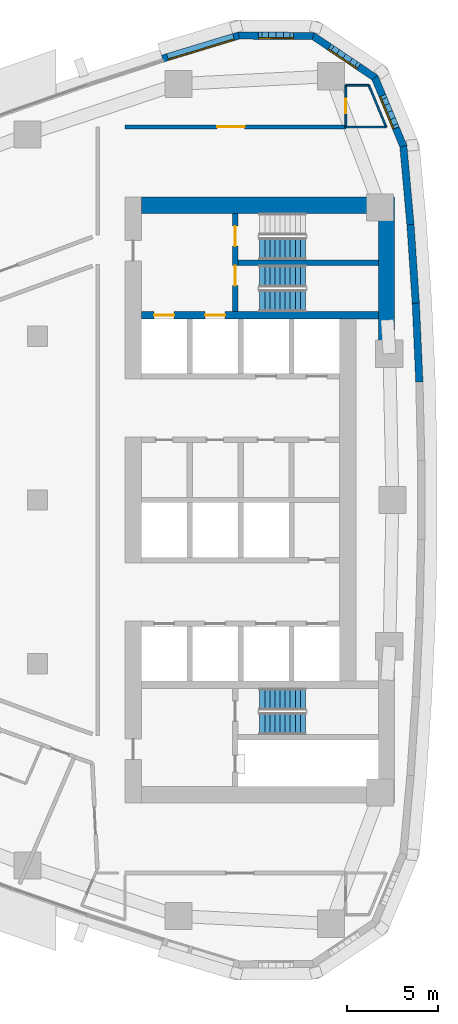
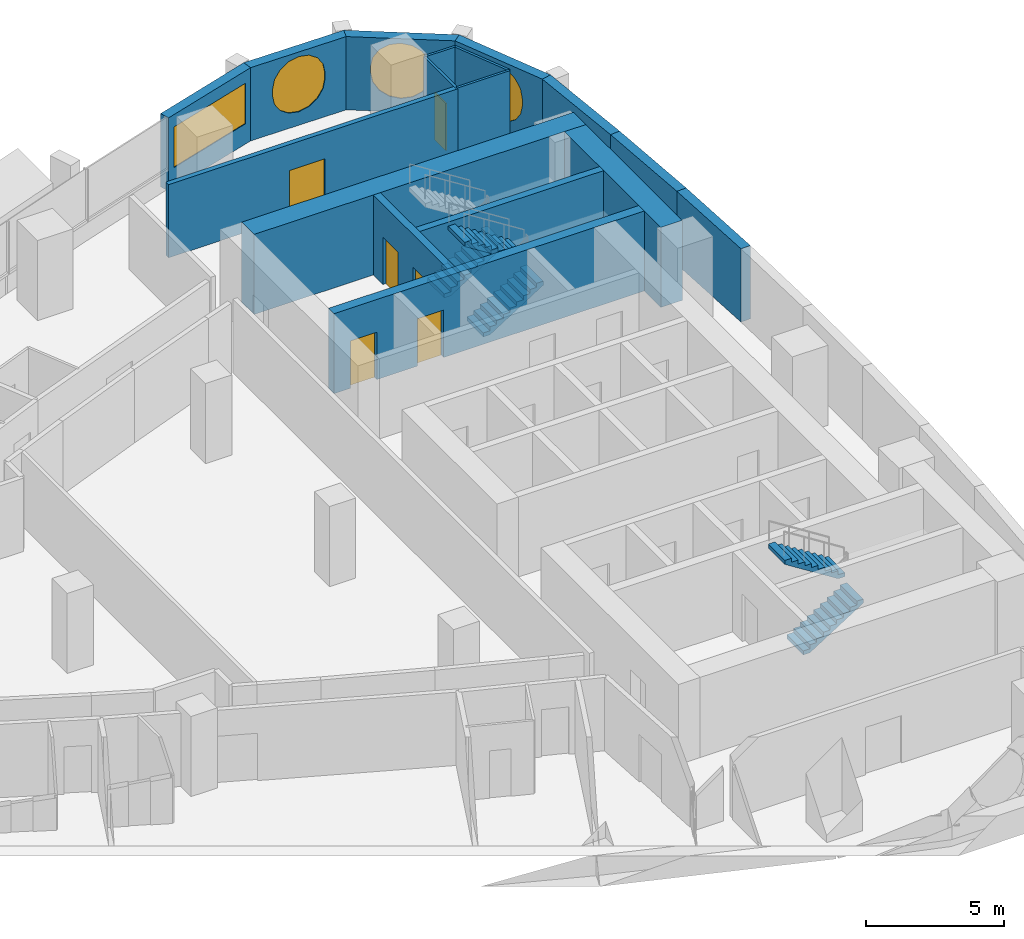
# One storey, part 12 of 17: 17 walls, 6 doors, 5 stair flights, 4 windows, 10 openings, 3 elements without a shape of their own.
"""IFC4 building model written with IfcOpenShell, lengths in metres."""

from ifc_helpers import new_model, si_unit, direction, frame, frame_2d, origin, place, context, subcontext, project, spatial, polyline, rectangle, outline, extrude, material, layer, layer_set, type_object, element, fill, aggregate, save


model = new_model("IFC4")

# Units and contexts
model_context = context("Model", 3, precision=1e-05, world=origin(), true_north=direction((0.0, 1.0)))
body_context = subcontext(model_context, "Body", "Model", "MODEL_VIEW")
ifc_project = project(units=[si_unit("LENGTHUNIT", "METRE"), si_unit("AREAUNIT", "SQUARE_METRE"), si_unit("VOLUMEUNIT", "CUBIC_METRE"), si_unit("PLANEANGLEUNIT", "RADIAN"), si_unit("MASSUNIT", "GRAM", prefix="KILO")], contexts=[model_context])

# Site, building, storey
site_placement = place(None, origin())
site = spatial("IfcSite", under=ifc_project, at=site_placement, CompositionType="ELEMENT")
building_placement = place(site_placement, origin())
building = spatial("IfcBuilding", under=site, at=building_placement, Name="Ostrand Prow Hotel Tower", CompositionType="ELEMENT")
storey_placement = place(building_placement, frame((0.0, 0.0, 130.199951171875)))
storey = spatial("IfcBuildingStorey", under=building, at=storey_placement, Name="L31", CompositionType="ELEMENT", Elevation=130.199951171875)

# Wall, openings, doors
ifc_material_1 = material(Name="Concrete C70/85", Category="concrete")
ifc_layer_1 = layer(ifc_material_1, 0.300048828125)
ifc_layer_set_1 = layer_set([ifc_layer_1], Name="Concrete C70/85")
wall_type_1 = type_object("IfcWallType", Name="Core wall 300 C70/85", PredefinedType="SHEAR", material=ifc_layer_set_1)
wall_1_placement = place(storey_placement, frame((55.85009765625, 10.35009765625, 0.0), z_axis=(0.0, 0.0, 1.0), x_axis=(0.0, 1.0, 0.0)))
wall_1 = element("IfcWall", 1, at=wall_1_placement, inside=storey, type_object=wall_type_1, Name="Core wall PW-VN", PredefinedType="SHEAR", context=body_context, shape_type="SweptSolid", body=[
    extrude(rectangle(XDim=5.39990234375, YDim=0.300048828125, at=frame_2d((2.699951171875, 0.0))), origin(), (0.0, 0.0, 1.0), 3.550048828125),
])
opening_1_placement = place(wall_1_placement, frame((1.429931640625, 0.0, 0.0)))
opening_1 = element("IfcOpeningElement", 2, at=opening_1_placement, cuts=wall_1, Name="Opening FD1", PredefinedType="OPENING", context=body_context, shape_type="SweptSolid", body=[
    extrude(rectangle(XDim=1.10009765625, YDim=2.10009765625, at=frame_2d((0.550048828125, 1.050048828125))), frame((0.0, 0.159912109375, 0.0), z_axis=(0.0, -1.0, 0.0), x_axis=(1.0, 0.0, 0.0)), (0.0, 0.0, 1.0), 0.320068359375),
])
opening_2_placement = place(wall_1_placement, frame((3.60009765625, 0.0, 0.0)))
opening_2 = element("IfcOpeningElement", 3, at=opening_2_placement, cuts=wall_1, Name="Opening FD1", PredefinedType="OPENING", context=body_context, shape_type="SweptSolid", body=[
    extrude(rectangle(XDim=1.10009765625, YDim=2.10009765625, at=frame_2d((0.550048828125, 1.050048828125))), frame((0.0, 0.159912109375, 0.0), z_axis=(0.0, -1.0, 0.0), x_axis=(1.0, 0.0, 0.0)), (0.0, 0.0, 1.0), 0.320068359375),
])
ifc_material_2 = material(Name="Steel fire door", Category="steel")
door_type_1 = type_object("IfcDoorType", Name="Fire door 1100 EI120", OperationType="SINGLE_SWING_RIGHT", PredefinedType="DOOR", material=ifc_material_2)
door_1_placement = place(opening_1_placement, origin())
door_1 = element("IfcDoor", 4, at=door_1_placement, inside=storey, type_object=door_type_1, Name="FIRE DOOR", OperationType="SINGLE_SWING_RIGHT", OverallHeight=2.10009765625, OverallWidth=1.10009765625, PredefinedType="DOOR", context=body_context, shape_type="SweptSolid", body=[
    extrude(rectangle(XDim=1.10009765625, YDim=2.10009765625, at=frame_2d((0.550048828125, 1.050048828125))), frame((0.0, 0.02490234375, 0.0), z_axis=(0.0, -1.0, 0.0), x_axis=(1.0, 0.0, 0.0)), (0.0, 0.0, 1.0), 0.050048828125),
])
fill(opening_1, door_1)
door_2_placement = place(opening_2_placement, origin())
door_2 = element("IfcDoor", 5, at=door_2_placement, inside=storey, type_object=door_type_1, Name="FIRE DOOR", OperationType="SINGLE_SWING_RIGHT", OverallHeight=2.10009765625, OverallWidth=1.10009765625, PredefinedType="DOOR", context=body_context, shape_type="SweptSolid", body=[
    extrude(rectangle(XDim=1.10009765625, YDim=2.10009765625, at=frame_2d((0.550048828125, 1.050048828125))), frame((0.0, 0.02490234375, 0.0), z_axis=(0.0, -1.0, 0.0), x_axis=(1.0, 0.0, 0.0)), (0.0, 0.0, 1.0), 0.050048828125),
])
fill(opening_2, door_2)

# Wall
wall_2_placement = place(storey_placement, frame((56.0, 13.050048828125, 0.0), z_axis=(0.0, 0.0, 1.0), x_axis=(1.0, 0.0, 0.0)))
element("IfcWall", 6, at=wall_2_placement, inside=storey, type_object=wall_type_1, Name="Core wall PW-ST13", PredefinedType="SHEAR", context=body_context, shape_type="SweptSolid", body=[
    extrude(rectangle(XDim=7.719970703125, YDim=0.300048828125, at=frame_2d((3.85986328125, 0.0))), origin(), (0.0, 0.0, 1.0), 3.550048828125),
])

# Wall, openings, doors
ifc_material_3 = material(Name="Concrete C70/85", Category="concrete")
ifc_layer_2 = layer(ifc_material_3, 0.39990234375)
ifc_layer_set_2 = layer_set([ifc_layer_2], Name="Concrete C70/85")
wall_type_2 = type_object("IfcWallType", Name="Core wall 400 C70/85", PredefinedType="SHEAR", material=ifc_layer_set_2)
wall_3_placement = place(storey_placement, frame((50.699951171875, 10.14990234375, 0.0), z_axis=(0.0, 0.0, 1.0), x_axis=(1.0, 0.0, 0.0)))
wall_3 = element("IfcWall", 7, at=wall_3_placement, inside=storey, type_object=wall_type_2, Name="Core wall PW-BN", PredefinedType="SHEAR", context=body_context, shape_type="SweptSolid", body=[
    extrude(rectangle(XDim=13.02001953125, YDim=0.39990234375, at=frame_2d((6.510009765625, 0.0))), origin(), (0.0, 0.0, 1.0), 3.550048828125),
])
opening_3_placement = place(wall_3_placement, frame((0.699951171875, 0.0, 0.0)))
opening_3 = element("IfcOpeningElement", 8, at=opening_3_placement, cuts=wall_3, Name="Opening LD", PredefinedType="OPENING", context=body_context, shape_type="SweptSolid", body=[
    extrude(rectangle(XDim=1.10009765625, YDim=2.10009765625, at=frame_2d((0.550048828125, 1.050048828125))), frame((0.0, 0.2099609375, 0.0), z_axis=(0.0, -1.0, 0.0), x_axis=(1.0, 0.0, 0.0)), (0.0, 0.0, 1.0), 0.419921875),
])
opening_4_placement = place(wall_3_placement, frame((3.5, 0.0, 0.0)))
opening_4 = element("IfcOpeningElement", 9, at=opening_4_placement, cuts=wall_3, Name="Opening LD", PredefinedType="OPENING", context=body_context, shape_type="SweptSolid", body=[
    extrude(rectangle(XDim=1.10009765625, YDim=2.10009765625, at=frame_2d((0.550048828125, 1.050048828125))), frame((0.0, 0.2099609375, 0.0), z_axis=(0.0, -1.0, 0.0), x_axis=(1.0, 0.0, 0.0)), (0.0, 0.0, 1.0), 0.419921875),
])
ifc_material_4 = material(Name="Stainless steel door", Category="steel")
door_type_2 = type_object("IfcDoorType", Name="Lift landing door 1100", OperationType="DOUBLE_DOOR_SLIDING", PredefinedType="DOOR", material=ifc_material_4)
door_3_placement = place(opening_3_placement, origin())
door_3 = element("IfcDoor", 10, at=door_3_placement, inside=storey, type_object=door_type_2, Name="LIFT LANDING DOOR", OperationType="DOUBLE_DOOR_SLIDING", OverallHeight=2.10009765625, OverallWidth=1.10009765625, PredefinedType="DOOR", context=body_context, shape_type="SweptSolid", body=[
    extrude(rectangle(XDim=1.10009765625, YDim=2.10009765625, at=frame_2d((0.550048828125, 1.050048828125))), frame((0.0, 0.02490234375, 0.0), z_axis=(0.0, -1.0, 0.0), x_axis=(1.0, 0.0, 0.0)), (0.0, 0.0, 1.0), 0.050048828125),
])
fill(opening_3, door_3)
door_4_placement = place(opening_4_placement, origin())
door_4 = element("IfcDoor", 11, at=door_4_placement, inside=storey, type_object=door_type_2, Name="LIFT LANDING DOOR", OperationType="DOUBLE_DOOR_SLIDING", OverallHeight=2.10009765625, OverallWidth=1.10009765625, PredefinedType="DOOR", context=body_context, shape_type="SweptSolid", body=[
    extrude(rectangle(XDim=1.10009765625, YDim=2.10009765625, at=frame_2d((0.550048828125, 1.050048828125))), frame((0.0, 0.02490234375, 0.0), z_axis=(0.0, -1.0, 0.0), x_axis=(1.0, 0.0, 0.0)), (0.0, 0.0, 1.0), 0.050048828125),
])
fill(opening_4, door_4)

# Walls
ifc_material_5 = material(Name="Concrete C70/85", Category="concrete")
ifc_layer_3 = layer(ifc_material_5, 0.89990234375)
ifc_layer_set_3 = layer_set([ifc_layer_3], Name="Concrete C70/85")
wall_type_3 = type_object("IfcWallType", Name="Core wall 900 C70/85", PredefinedType="SHEAR", material=ifc_layer_set_3)
wall_4_placement = place(storey_placement, frame((50.699951171875, 16.199951171875, 0.0), z_axis=(0.0, 0.0, 1.0), x_axis=(1.0, 0.0, 0.0)))
element("IfcWall", 12, at=wall_4_placement, inside=storey, type_object=wall_type_3, Name="Core wall CW-N", PredefinedType="SHEAR", context=body_context, shape_type="SweptSolid", body=[
    extrude(rectangle(XDim=13.920166015625, YDim=0.89990234375, at=frame_2d((6.9599609375, 0.0))), origin(), (0.0, 0.0, 1.0), 3.550048828125),
])
wall_5_placement = place(storey_placement, frame((64.169921875, 8.74462890625, 0.0), z_axis=(0.0, 0.0, 1.0), x_axis=(0.0, 1.0, 0.0)))
element("IfcWall", 13, at=wall_5_placement, inside=storey, type_object=wall_type_3, Name="Core wall CW-E-N", PredefinedType="SHEAR", context=body_context, shape_type="SweptSolid", body=[
    extrude(rectangle(XDim=7.00537109375, YDim=0.89990234375, at=frame_2d((3.502685546875, 0.0))), origin(), (0.0, 0.0, 1.0), 3.550048828125),
])

# Wall, opening, door
ifc_material_6 = material(Name="Plasterboard partition")
ifc_layer_4 = layer(ifc_material_6, 0.10009765625)
ifc_layer_set_4 = layer_set([ifc_layer_4], Name="Plasterboard partition")
wall_type_4 = type_object("IfcWallType", Name="Partition 100 bathroom wall", PredefinedType="PARTITIONING", material=ifc_layer_set_4)
wall_6_placement = place(storey_placement, frame((61.9375, 20.5, 0.0), z_axis=(0.0, 0.0, 1.0), x_axis=(0.0, 1.0, 0.0)))
wall_6 = element("IfcWall", 14, at=wall_6_placement, inside=storey, type_object=wall_type_4, Name="BATHROOM WALL", PredefinedType="PARTITIONING", context=body_context, shape_type="SweptSolid", body=[
    extrude(rectangle(XDim=2.300048828125, YDim=0.10009765625, at=frame_2d((1.14990234375, 0.0))), origin(), (0.0, 0.0, 1.0), 3.25),
])
opening_5_placement = place(wall_6_placement, frame((0.75, 0.0, 0.0)))
opening_5 = element("IfcOpeningElement", 15, at=opening_5_placement, cuts=wall_6, Name="Opening D2", PredefinedType="OPENING", context=body_context, shape_type="SweptSolid", body=[
    extrude(rectangle(XDim=0.800048828125, YDim=2.10009765625, at=frame_2d((0.39990234375, 1.050048828125))), frame((0.0, 0.06005859375, 0.0), z_axis=(0.0, -1.0, 0.0), x_axis=(1.0, 0.0, 0.0)), (0.0, 0.0, 1.0), 0.1201171875),
])
ifc_material_7 = material(Name="Timber door leaf", Category="wood")
door_type_3 = type_object("IfcDoorType", Name="Bathroom door 800", OperationType="SINGLE_SWING_LEFT", PredefinedType="DOOR", material=ifc_material_7)
door_5_placement = place(opening_5_placement, origin())
door_5 = element("IfcDoor", 16, at=door_5_placement, inside=storey, type_object=door_type_3, Name="DOOR", OperationType="SINGLE_SWING_LEFT", OverallHeight=2.10009765625, OverallWidth=0.800048828125, PredefinedType="DOOR", context=body_context, shape_type="SweptSolid", body=[
    extrude(rectangle(XDim=0.800048828125, YDim=2.10009765625, at=frame_2d((0.39990234375, 1.050048828125))), frame((0.0, 0.02490234375, 0.0), z_axis=(0.0, -1.0, 0.0), x_axis=(1.0, 0.0, 0.0)), (0.0, 0.0, 1.0), 0.050048828125),
])
fill(opening_5, door_5)

# Walls
wall_7_placement = place(storey_placement, frame((61.9375, 22.800048828125, 0.0), z_axis=(0.0, 0.0, 1.0), x_axis=(1.0, 0.0, 0.0)))
element("IfcWall", 17, at=wall_7_placement, inside=storey, type_object=wall_type_4, Name="BATHROOM WALL", PredefinedType="PARTITIONING", context=body_context, shape_type="SweptSolid", body=[
    extrude(rectangle(XDim=1.2607421875, YDim=0.10009765625, at=frame_2d((0.63037109375, 0.0))), origin(), (0.0, 0.0, 1.0), 3.25),
])
wall_8_placement = place(storey_placement, frame((63.1982421875, 22.800048828125, 0.0), z_axis=(0.0, 0.0, 1.0), x_axis=(0.383855043906, -0.923393364319, 0.0)))
element("IfcWall", 18, at=wall_8_placement, inside=storey, type_object=wall_type_4, Name="BATHROOM WALL", PredefinedType="PARTITIONING", context=body_context, shape_type="SweptSolid", body=[
    extrude(rectangle(XDim=2.485595703125, YDim=0.10009765625, at=frame_2d((1.24267578125, 0.0))), origin(), (0.0, 0.0, 1.0), 3.25),
])
wall_9_placement = place(storey_placement, frame((64.15234375, 20.5048828125, 0.0), z_axis=(0.0, 0.0, 1.0), x_axis=(-1.0, 0.0, 0.0)))
element("IfcWall", 19, at=wall_9_placement, inside=storey, type_object=wall_type_4, Name="BATHROOM WALL", PredefinedType="PARTITIONING", context=body_context, shape_type="SweptSolid", body=[
    extrude(rectangle(XDim=2.21484375, YDim=0.10009765625, at=frame_2d((1.107421875, 0.0))), origin(), (0.0, 0.0, 1.0), 3.25),
])

# Wall, opening, door
ifc_material_8 = material(Name="Plasterboard partition")
ifc_layer_5 = layer(ifc_material_8, 0.199951171875)
ifc_layer_set_5 = layer_set([ifc_layer_5], Name="Plasterboard partition")
wall_type_5 = type_object("IfcWallType", Name="Partition 200 corridor wall", PredefinedType="PARTITIONING", material=ifc_layer_set_5)
wall_10_placement = place(storey_placement, frame((61.9326171875, 20.5048828125, 0.0), z_axis=(0.0, 0.0, 1.0), x_axis=(-1.0, 0.0, 0.0)))
wall_10 = element("IfcWall", 20, at=wall_10_placement, inside=storey, type_object=wall_type_5, Name="CORRIDOR WALL", PredefinedType="PARTITIONING", context=body_context, shape_type="SweptSolid", body=[
    extrude(rectangle(XDim=12.132568359375, YDim=0.199951171875, at=frame_2d((6.06640625, 0.0))), origin(), (0.0, 0.0, 1.0), 3.25),
])
opening_6_placement = place(wall_10_placement, frame((5.56640625, 0.0, 0.0)))
opening_6 = element("IfcOpeningElement", 21, at=opening_6_placement, cuts=wall_10, Name="Opening D15", PredefinedType="OPENING", context=body_context, shape_type="SweptSolid", body=[
    extrude(rectangle(XDim=1.5, YDim=2.10009765625, at=frame_2d((0.75, 1.050048828125))), frame((0.0, 0.10986328125, 0.0), z_axis=(0.0, -1.0, 0.0), x_axis=(1.0, 0.0, 0.0)), (0.0, 0.0, 1.0), 0.219970703125),
])
ifc_material_9 = material(Name="Timber door leaf", Category="wood")
door_type_4 = type_object("IfcDoorType", Name="Double door 1500", OperationType="DOUBLE_DOOR_SINGLE_SWING", PredefinedType="DOOR", material=ifc_material_9)
door_6_placement = place(opening_6_placement, origin())
door_6 = element("IfcDoor", 22, at=door_6_placement, inside=storey, type_object=door_type_4, Name="DOOR", OperationType="DOUBLE_DOOR_SINGLE_SWING", OverallHeight=2.10009765625, OverallWidth=1.5, PredefinedType="DOOR", context=body_context, shape_type="SweptSolid", body=[
    extrude(rectangle(XDim=1.5, YDim=2.10009765625, at=frame_2d((0.75, 1.050048828125))), frame((0.0, 0.02490234375, 0.0), z_axis=(0.0, -1.0, 0.0), x_axis=(1.0, 0.0, 0.0)), (0.0, 0.0, 1.0), 0.050048828125),
])
fill(opening_6, door_6)

# Walls
ifc_material_10 = material(Name="Precast concrete C40/50", Category="concrete")
ifc_layer_6 = layer(ifc_material_10, 0.39990234375)
ifc_layer_set_6 = layer_set([ifc_layer_6], Name="Precast concrete C40/50")
wall_type_6 = type_object("IfcWallType", Name="Stone-faced precast wall 400 mm", PredefinedType="NOTDEFINED", material=ifc_layer_set_6)
for number, where, z_axis, x_axis, name in (
    (23, (65.977783203125, 6.4921875, 0.0), (0.0, 0.0, 1.0), (-0.045228592312, 0.99897666361, 0.0), "Stone-faced wall back 11"),
    (24, (65.781982421875, 10.81689453125, 0.0), (0.0, 0.0, 1.0), (-0.067731727279, 0.997703569764, 0.0), "Stone-faced wall back 12"),
):
    element("IfcWall", number, at=place(storey_placement, frame(where, z_axis=z_axis, x_axis=x_axis)), inside=storey, type_object=wall_type_6, Name=name, PredefinedType="NOTDEFINED", context=body_context, shape_type="SweptSolid", body=[
        extrude(outline(polyline([(-0.002197265625, -0.199951171875), (4.331298828125, -0.199951171875), (4.326904296875, 0.199951171875), (0.002197265625, 0.199951171875), (-0.002197265625, -0.199951171875)])), origin(), (0.0, 0.0, 1.0), 3.25),
    ])
wall_11_placement = place(storey_placement, frame((65.48876953125, 15.135986328125, 0.0), z_axis=(0.0, 0.0, 1.0), x_axis=(-0.090296735989, 0.995914905737, 0.0)))
element("IfcWall", 25, at=wall_11_placement, inside=storey, type_object=wall_type_6, Name="Stone-faced wall back 13", PredefinedType="NOTDEFINED", context=body_context, shape_type="SweptSolid", body=[
    extrude(outline(polyline([(-0.002197265625, -0.199951171875), (4.359130859375, -0.199951171875), (4.298095703125, 0.199951171875), (0.002197265625, 0.199951171875), (-0.002197265625, -0.199951171875)])), origin(), (0.0, 0.0, 1.0), 3.25),
])

# Wall, opening, window
wall_12_placement = place(storey_placement, frame((65.097900390625, 19.447021484375, 0.0), z_axis=(0.0, 0.0, 1.0), x_axis=(-0.383817293519, 0.923409056267, 0.0)))
wall_12 = element("IfcWall", 26, at=wall_12_placement, inside=storey, type_object=wall_type_6, Name="Stone-faced wall back 14", PredefinedType="NOTDEFINED", context=body_context, shape_type="SweptSolid", body=[
    extrude(outline(polyline([(-0.030517578125, -0.199951171875), (4.14453125, -0.199951171875), (4.02392578125, 0.199951171875), (0.030517578125, 0.199951171875), (-0.030517578125, -0.199951171875)])), origin(), (0.0, 0.0, 1.0), 3.25),
])
opening_7_placement = place(wall_12_placement, frame((0.94189453125, 0.0, 0.60009765625)))
opening_7 = element("IfcOpeningElement", 27, at=opening_7_placement, cuts=wall_12, Name="Opening WP1", PredefinedType="OPENING", context=body_context, shape_type="SweptSolid", body=[
    extrude(outline(polyline([(0.0, 1.35009765625), (0.083740234375, 1.77099609375), (0.322265625, 2.127685546875), (0.678955078125, 2.3662109375), (1.10009765625, 2.449951171875), (1.52099609375, 2.3662109375), (1.877685546875, 2.127685546875), (2.1162109375, 1.77099609375), (2.199951171875, 1.35009765625), (2.199951171875, 1.10009765625), (2.1162109375, 0.678955078125), (1.877685546875, 0.322265625), (1.52099609375, 0.083740234375), (1.10009765625, 0.0), (0.678955078125, 0.083740234375), (0.322265625, 0.322265625), (0.083740234375, 0.678955078125), (0.0, 1.099853515625), (0.0, 1.35009765625)])), frame((0.0, 0.2099609375, 0.0), z_axis=(0.0, -1.0, 0.0), x_axis=(1.0, 0.0, 0.0)), (0.0, 0.0, 1.0), 0.419921875),
])
ifc_material_11 = material(Name="Insulated glass in bronze frame", Category="glass")
window_type_1 = type_object("IfcWindowType", Name="Round-ended prow window 2200x2450", PartitioningType="SINGLE_PANEL", PredefinedType="WINDOW", material=ifc_material_11)
window_1_placement = place(opening_7_placement, origin())
window_1 = element("IfcWindow", 28, at=window_1_placement, inside=storey, type_object=window_type_1, Name="Window back 14.1", OverallHeight=2.449951171875, OverallWidth=2.199951171875, PartitioningType="SINGLE_PANEL", PredefinedType="WINDOW", context=body_context, shape_type="SweptSolid", body=[
    extrude(outline(polyline([(0.0, 1.35009765625), (0.083740234375, 1.77099609375), (0.322265625, 2.127685546875), (0.678955078125, 2.3662109375), (1.10009765625, 2.449951171875), (1.52099609375, 2.3662109375), (1.877685546875, 2.127685546875), (2.1162109375, 1.77099609375), (2.199951171875, 1.35009765625), (2.199951171875, 1.10009765625), (2.1162109375, 0.678955078125), (1.877685546875, 0.322265625), (1.52099609375, 0.083740234375), (1.10009765625, 0.0), (0.678955078125, 0.083740234375), (0.322265625, 0.322265625), (0.083740234375, 0.678955078125), (0.0, 1.099853515625), (0.0, 1.35009765625)])), frame((0.0, 0.169921875, 0.0), z_axis=(0.0, -1.0, 0.0), x_axis=(1.0, 0.0, 0.0)), (0.0, 0.0, 1.0), 0.06005859375),
])
fill(opening_7, window_1)

wall_13_placement = place(storey_placement, frame((63.5302734375, 23.218505859375, 0.0), z_axis=(0.0, 0.0, 1.0), x_axis=(-0.829642062482, 0.558295663749, 0.0)))
wall_13 = element("IfcWall", 29, at=wall_13_placement, inside=storey, type_object=wall_type_6, Name="Stone-faced wall back 15", PredefinedType="NOTDEFINED", context=body_context, shape_type="SweptSolid", body=[
    extrude(outline(polyline([(-0.060302734375, -0.199951171875), (4.144287109375, -0.199951171875), (4.023681640625, 0.199951171875), (0.060302734375, 0.199951171875), (-0.060302734375, -0.199951171875)])), origin(), (0.0, 0.0, 1.0), 3.25),
])
opening_8_placement = place(wall_13_placement, frame((0.94189453125, 0.0, 0.60009765625)))
opening_8 = element("IfcOpeningElement", 30, at=opening_8_placement, cuts=wall_13, Name="Opening WP1", PredefinedType="OPENING", context=body_context, shape_type="SweptSolid", body=[
    extrude(outline(polyline([(0.0, 1.35009765625), (0.083740234375, 1.77099609375), (0.322265625, 2.127685546875), (0.678955078125, 2.3662109375), (1.10009765625, 2.449951171875), (1.52099609375, 2.3662109375), (1.877685546875, 2.127685546875), (2.1162109375, 1.77099609375), (2.199951171875, 1.35009765625), (2.199951171875, 1.10009765625), (2.1162109375, 0.678955078125), (1.877685546875, 0.322265625), (1.52099609375, 0.083740234375), (1.10009765625, 0.0), (0.678955078125, 0.083740234375), (0.322265625, 0.322265625), (0.083740234375, 0.678955078125), (0.0, 1.099853515625), (0.0, 1.35009765625)])), frame((0.0, 0.2099609375, 0.0), z_axis=(0.0, -1.0, 0.0), x_axis=(1.0, 0.0, 0.0)), (0.0, 0.0, 1.0), 0.419921875),
])
window_2_placement = place(opening_8_placement, origin())
window_2 = element("IfcWindow", 31, at=window_2_placement, inside=storey, type_object=window_type_1, Name="Window back 15.1", OverallHeight=2.449951171875, OverallWidth=2.199951171875, PartitioningType="SINGLE_PANEL", PredefinedType="WINDOW", context=body_context, shape_type="SweptSolid", body=[
    extrude(outline(polyline([(0.0, 1.35009765625), (0.083740234375, 1.77099609375), (0.322265625, 2.127685546875), (0.678955078125, 2.3662109375), (1.10009765625, 2.449951171875), (1.52099609375, 2.3662109375), (1.877685546875, 2.127685546875), (2.1162109375, 1.77099609375), (2.199951171875, 1.35009765625), (2.199951171875, 1.10009765625), (2.1162109375, 0.678955078125), (1.877685546875, 0.322265625), (1.52099609375, 0.083740234375), (1.10009765625, 0.0), (0.678955078125, 0.083740234375), (0.322265625, 0.322265625), (0.083740234375, 0.678955078125), (0.0, 1.099853515625), (0.0, 1.35009765625)])), frame((0.0, 0.169921875, 0.0), z_axis=(0.0, -1.0, 0.0), x_axis=(1.0, 0.0, 0.0)), (0.0, 0.0, 1.0), 0.06005859375),
])
fill(opening_8, window_2)

wall_14_placement = place(storey_placement, frame((60.14208984375, 25.49853515625, 0.0), z_axis=(0.0, 0.0, 1.0), x_axis=(-0.99996933771, 0.007830941131, 0.0)))
wall_14 = element("IfcWall", 32, at=wall_14_placement, inside=storey, type_object=wall_type_6, Name="Stone-faced wall back 16", PredefinedType="NOTDEFINED", context=body_context, shape_type="SweptSolid", body=[
    extrude(outline(polyline([(-0.060302734375, -0.199951171875), (4.11474609375, -0.199951171875), (4.0537109375, 0.199951171875), (0.060302734375, 0.199951171875), (-0.060302734375, -0.199951171875)])), origin(), (0.0, 0.0, 1.0), 3.25),
])
opening_9_placement = place(wall_14_placement, frame((0.94189453125, 0.0, 0.60009765625)))
opening_9 = element("IfcOpeningElement", 33, at=opening_9_placement, cuts=wall_14, Name="Opening WP1", PredefinedType="OPENING", context=body_context, shape_type="SweptSolid", body=[
    extrude(outline(polyline([(0.0, 1.35009765625), (0.083740234375, 1.77099609375), (0.322265625, 2.127685546875), (0.678955078125, 2.3662109375), (1.10009765625, 2.449951171875), (1.52099609375, 2.3662109375), (1.877685546875, 2.127685546875), (2.1162109375, 1.77099609375), (2.199951171875, 1.35009765625), (2.199951171875, 1.10009765625), (2.1162109375, 0.678955078125), (1.877685546875, 0.322265625), (1.52099609375, 0.083740234375), (1.10009765625, 0.0), (0.678955078125, 0.083740234375), (0.322265625, 0.322265625), (0.083740234375, 0.678955078125), (0.0, 1.099853515625), (0.0, 1.35009765625)])), frame((0.0, 0.2099609375, 0.0), z_axis=(0.0, -1.0, 0.0), x_axis=(1.0, 0.0, 0.0)), (0.0, 0.0, 1.0), 0.419921875),
])
window_3_placement = place(opening_9_placement, origin())
window_3 = element("IfcWindow", 34, at=window_3_placement, inside=storey, type_object=window_type_1, Name="Window back 16.1", OverallHeight=2.449951171875, OverallWidth=2.199951171875, PartitioningType="SINGLE_PANEL", PredefinedType="WINDOW", context=body_context, shape_type="SweptSolid", body=[
    extrude(outline(polyline([(0.0, 1.35009765625), (0.083740234375, 1.77099609375), (0.322265625, 2.127685546875), (0.678955078125, 2.3662109375), (1.10009765625, 2.449951171875), (1.52099609375, 2.3662109375), (1.877685546875, 2.127685546875), (2.1162109375, 1.77099609375), (2.199951171875, 1.35009765625), (2.199951171875, 1.10009765625), (2.1162109375, 0.678955078125), (1.877685546875, 0.322265625), (1.52099609375, 0.083740234375), (1.10009765625, 0.0), (0.678955078125, 0.083740234375), (0.322265625, 0.322265625), (0.083740234375, 0.678955078125), (0.0, 1.099853515625), (0.0, 1.35009765625)])), frame((0.0, 0.169921875, 0.0), z_axis=(0.0, -1.0, 0.0), x_axis=(1.0, 0.0, 0.0)), (0.0, 0.0, 1.0), 0.06005859375),
])
fill(opening_9, window_3)

wall_15_placement = place(storey_placement, frame((56.05810546875, 25.530517578125, 0.0), z_axis=(0.0, 0.0, 1.0), x_axis=(-0.956964488344, -0.290205044837, 0.0)))
wall_15 = element("IfcWall", 35, at=wall_15_placement, inside=storey, type_object=wall_type_6, Name="Stone-faced wall back 17", PredefinedType="NOTDEFINED", context=body_context, shape_type="SweptSolid", body=[
    extrude(outline(polyline([(-0.030517578125, -0.199951171875), (4.387939453125, -0.199951171875), (4.387939453125, 0.199951171875), (0.030517578125, 0.199951171875), (-0.030517578125, -0.199951171875)])), origin(), (0.0, 0.0, 1.0), 3.25),
])
opening_10_placement = place(wall_15_placement, frame((0.2939453125, 0.0, 0.89990234375)))
opening_10 = element("IfcOpeningElement", 36, at=opening_10_placement, cuts=wall_15, Name="Opening WS3-38", PredefinedType="OPENING", context=body_context, shape_type="SweptSolid", body=[
    extrude(rectangle(XDim=3.800048828125, YDim=1.800048828125, at=frame_2d((1.89990234375, 0.89990234375))), frame((0.0, 0.2099609375, 0.0), z_axis=(0.0, -1.0, 0.0), x_axis=(1.0, 0.0, 0.0)), (0.0, 0.0, 1.0), 0.419921875),
])
ifc_material_12 = material(Name="Insulated glass in bronze frame", Category="glass")
window_type_2 = type_object("IfcWindowType", Name="Strip window 3800x1800", PartitioningType="SINGLE_PANEL", PredefinedType="WINDOW", material=ifc_material_12)
window_4_placement = place(opening_10_placement, origin())
window_4 = element("IfcWindow", 37, at=window_4_placement, inside=storey, type_object=window_type_2, Name="Window back 17.1", OverallHeight=1.800048828125, OverallWidth=3.800048828125, PartitioningType="SINGLE_PANEL", PredefinedType="WINDOW", context=body_context, shape_type="SweptSolid", body=[
    extrude(rectangle(XDim=3.800048828125, YDim=1.800048828125, at=frame_2d((1.89990234375, 0.89990234375))), frame((0.0, 0.169921875, 0.0), z_axis=(0.0, -1.0, 0.0), x_axis=(1.0, 0.0, 0.0)), (0.0, 0.0, 1.0), 0.06005859375),
])
fill(opening_10, window_4)

# Stair, stair flights
ifc_material_13 = material(Name="Concrete C40/50", Category="concrete")
stair_type = type_object("IfcStairType", Name="Exit stair 1200 upper zone", PredefinedType="HALF_TURN_STAIR", material=ifc_material_13)
stair_1_placement = place(storey_placement, origin())
stair_1 = element("IfcStair", 38, at=stair_1_placement, inside=storey, type_object=stair_type, Name="L31 ST1C", PredefinedType="HALF_TURN_STAIR")
ifc_material_14 = material(Name="Concrete C40/50", Category="concrete")
stair_flight_type = type_object("IfcStairFlightType", Name="Stair flight 1200 concrete", PredefinedType="STRAIGHT", material=ifc_material_14)
stair_flight_1_placement = place(storey_placement, frame((57.199951171875, 10.949951171875, 0.0), z_axis=(0.0, 0.0, 1.0), x_axis=(1.0, 0.0, 0.0)))
stair_flight_1 = element("IfcStairFlight", 39, at=stair_flight_1_placement, type_object=stair_flight_type, Name="ST1C flight 1", NumberOfRisers=10, NumberOfTreads=9, PredefinedType="STRAIGHT", RiserHeight=0.1775, TreadLength=0.28, context=body_context, shape_type="SweptSolid", body=[
    extrude(outline(polyline([(0.0, 0.0), (0.0, 0.177490234375), (0.280029296875, 0.177490234375), (0.280029296875, 0.35498046875), (0.56005859375, 0.35498046875), (0.56005859375, 0.532470703125), (0.840087890625, 0.532470703125), (0.840087890625, 0.7099609375), (1.1201171875, 0.7099609375), (1.1201171875, 0.887451171875), (1.39990234375, 0.887451171875), (1.39990234375, 1.06494140625), (1.679931640625, 1.06494140625), (1.679931640625, 1.242431640625), (1.9599609375, 1.242431640625), (1.9599609375, 1.419921875), (2.239990234375, 1.419921875), (2.239990234375, 1.597412109375), (2.52001953125, 1.597412109375), (2.52001953125, 1.77490234375), (2.52001953125, 1.419921875), (0.280029296875, 0.0), (0.0, 0.0)])), frame((0.0, 0.60009765625, 0.0), z_axis=(0.0, -1.0, 0.0), x_axis=(1.0, 0.0, 0.0)), (0.0, 0.0, 1.0), 1.199951171875),
])
stair_flight_2_placement = place(storey_placement, frame((59.719970703125, 12.300048828125, 1.775146484375), z_axis=(0.0, 0.0, 1.0), x_axis=(-1.0, 0.0, 0.0)))
stair_flight_2 = element("IfcStairFlight", 40, at=stair_flight_2_placement, type_object=stair_flight_type, Name="ST1C flight 2", NumberOfRisers=10, NumberOfTreads=9, PredefinedType="STRAIGHT", RiserHeight=0.1775, TreadLength=0.28, context=body_context, shape_type="SweptSolid", body=[
    extrude(outline(polyline([(0.0, 0.0), (0.0, 0.177490234375), (0.280029296875, 0.177490234375), (0.280029296875, 0.35498046875), (0.56005859375, 0.35498046875), (0.56005859375, 0.532470703125), (0.840087890625, 0.532470703125), (0.840087890625, 0.7099609375), (1.1201171875, 0.7099609375), (1.1201171875, 0.887451171875), (1.39990234375, 0.887451171875), (1.39990234375, 1.06494140625), (1.679931640625, 1.06494140625), (1.679931640625, 1.242431640625), (1.9599609375, 1.242431640625), (1.9599609375, 1.419921875), (2.239990234375, 1.419921875), (2.239990234375, 1.597412109375), (2.52001953125, 1.597412109375), (2.52001953125, 1.77490234375), (2.52001953125, 1.419921875), (0.280029296875, 0.0), (0.0, 0.0)])), frame((0.0, 0.60009765625, 0.0), z_axis=(0.0, -1.0, 0.0), x_axis=(1.0, 0.0, 0.0)), (0.0, 0.0, 1.0), 1.199951171875),
])
aggregate(stair_1, [stair_flight_1, stair_flight_2])

# Stair, stair flight
stair_2_placement = place(storey_placement, origin())
stair_2 = element("IfcStair", 41, at=stair_2_placement, inside=storey, type_object=stair_type, Name="L31 ST3C", PredefinedType="HALF_TURN_STAIR")
stair_flight_3_placement = place(storey_placement, frame((57.199951171875, 13.800048828125, 0.0), z_axis=(0.0, 0.0, 1.0), x_axis=(1.0, 0.0, 0.0)))
stair_flight_3 = element("IfcStairFlight", 42, at=stair_flight_3_placement, type_object=stair_flight_type, Name="ST3C flight 1", NumberOfRisers=10, NumberOfTreads=9, PredefinedType="STRAIGHT", RiserHeight=0.1775, TreadLength=0.28, context=body_context, shape_type="SweptSolid", body=[
    extrude(outline(polyline([(0.0, 0.0), (0.0, 0.177490234375), (0.280029296875, 0.177490234375), (0.280029296875, 0.35498046875), (0.56005859375, 0.35498046875), (0.56005859375, 0.532470703125), (0.840087890625, 0.532470703125), (0.840087890625, 0.7099609375), (1.1201171875, 0.7099609375), (1.1201171875, 0.887451171875), (1.39990234375, 0.887451171875), (1.39990234375, 1.06494140625), (1.679931640625, 1.06494140625), (1.679931640625, 1.242431640625), (1.9599609375, 1.242431640625), (1.9599609375, 1.419921875), (2.239990234375, 1.419921875), (2.239990234375, 1.597412109375), (2.52001953125, 1.597412109375), (2.52001953125, 1.77490234375), (2.52001953125, 1.419921875), (0.280029296875, 0.0), (0.0, 0.0)])), frame((0.0, 0.60009765625, 0.0), z_axis=(0.0, -1.0, 0.0), x_axis=(1.0, 0.0, 0.0)), (0.0, 0.0, 1.0), 1.199951171875),
])
aggregate(stair_2, [stair_flight_3])

# Stair, stair flights
stair_3_placement = place(storey_placement, origin())
stair_3 = element("IfcStair", 43, at=stair_3_placement, inside=storey, type_object=stair_type, Name="L31 ST2C", PredefinedType="HALF_TURN_STAIR")
stair_flight_4_placement = place(storey_placement, frame((57.199951171875, -12.300048828125, 0.0), z_axis=(0.0, 0.0, 1.0), x_axis=(1.0, 0.0, 0.0)))
stair_flight_4 = element("IfcStairFlight", 44, at=stair_flight_4_placement, type_object=stair_flight_type, Name="ST2C flight 1", NumberOfRisers=10, NumberOfTreads=9, PredefinedType="STRAIGHT", RiserHeight=0.1775, TreadLength=0.28, context=body_context, shape_type="SweptSolid", body=[
    extrude(outline(polyline([(0.0, 0.0), (0.0, 0.177490234375), (0.280029296875, 0.177490234375), (0.280029296875, 0.35498046875), (0.56005859375, 0.35498046875), (0.56005859375, 0.532470703125), (0.840087890625, 0.532470703125), (0.840087890625, 0.7099609375), (1.1201171875, 0.7099609375), (1.1201171875, 0.887451171875), (1.39990234375, 0.887451171875), (1.39990234375, 1.06494140625), (1.679931640625, 1.06494140625), (1.679931640625, 1.242431640625), (1.9599609375, 1.242431640625), (1.9599609375, 1.419921875), (2.239990234375, 1.419921875), (2.239990234375, 1.597412109375), (2.52001953125, 1.597412109375), (2.52001953125, 1.77490234375), (2.52001953125, 1.419921875), (0.280029296875, 0.0), (0.0, 0.0)])), frame((0.0, 0.60009765625, 0.0), z_axis=(0.0, -1.0, 0.0), x_axis=(1.0, 0.0, 0.0)), (0.0, 0.0, 1.0), 1.199951171875),
])
stair_flight_5_placement = place(storey_placement, frame((59.719970703125, -10.949951171875, 1.775146484375), z_axis=(0.0, 0.0, 1.0), x_axis=(-1.0, 0.0, 0.0)))
stair_flight_5 = element("IfcStairFlight", 45, at=stair_flight_5_placement, type_object=stair_flight_type, Name="ST2C flight 2", NumberOfRisers=10, NumberOfTreads=9, PredefinedType="STRAIGHT", RiserHeight=0.1775, TreadLength=0.28, context=body_context, shape_type="SweptSolid", body=[
    extrude(outline(polyline([(0.0, 0.0), (0.0, 0.177490234375), (0.280029296875, 0.177490234375), (0.280029296875, 0.35498046875), (0.56005859375, 0.35498046875), (0.56005859375, 0.532470703125), (0.840087890625, 0.532470703125), (0.840087890625, 0.7099609375), (1.1201171875, 0.7099609375), (1.1201171875, 0.887451171875), (1.39990234375, 0.887451171875), (1.39990234375, 1.06494140625), (1.679931640625, 1.06494140625), (1.679931640625, 1.242431640625), (1.9599609375, 1.242431640625), (1.9599609375, 1.419921875), (2.239990234375, 1.419921875), (2.239990234375, 1.597412109375), (2.52001953125, 1.597412109375), (2.52001953125, 1.77490234375), (2.52001953125, 1.419921875), (0.280029296875, 0.0), (0.0, 0.0)])), frame((0.0, 0.60009765625, 0.0), z_axis=(0.0, -1.0, 0.0), x_axis=(1.0, 0.0, 0.0)), (0.0, 0.0, 1.0), 1.199951171875),
])
aggregate(stair_3, [stair_flight_4, stair_flight_5])

save(model, "model.ifc")
